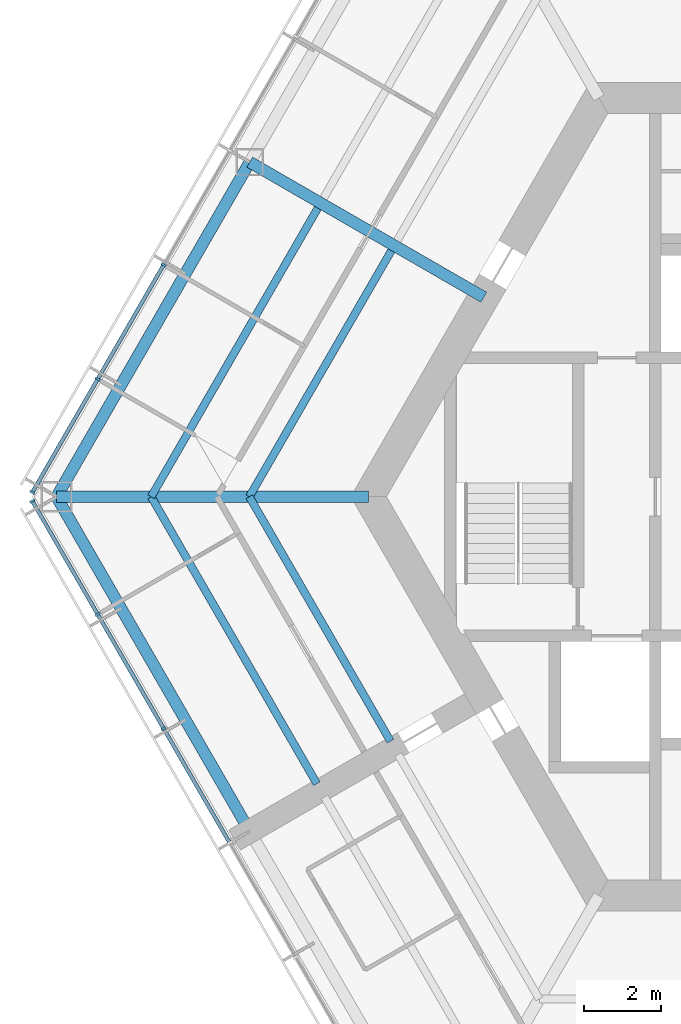
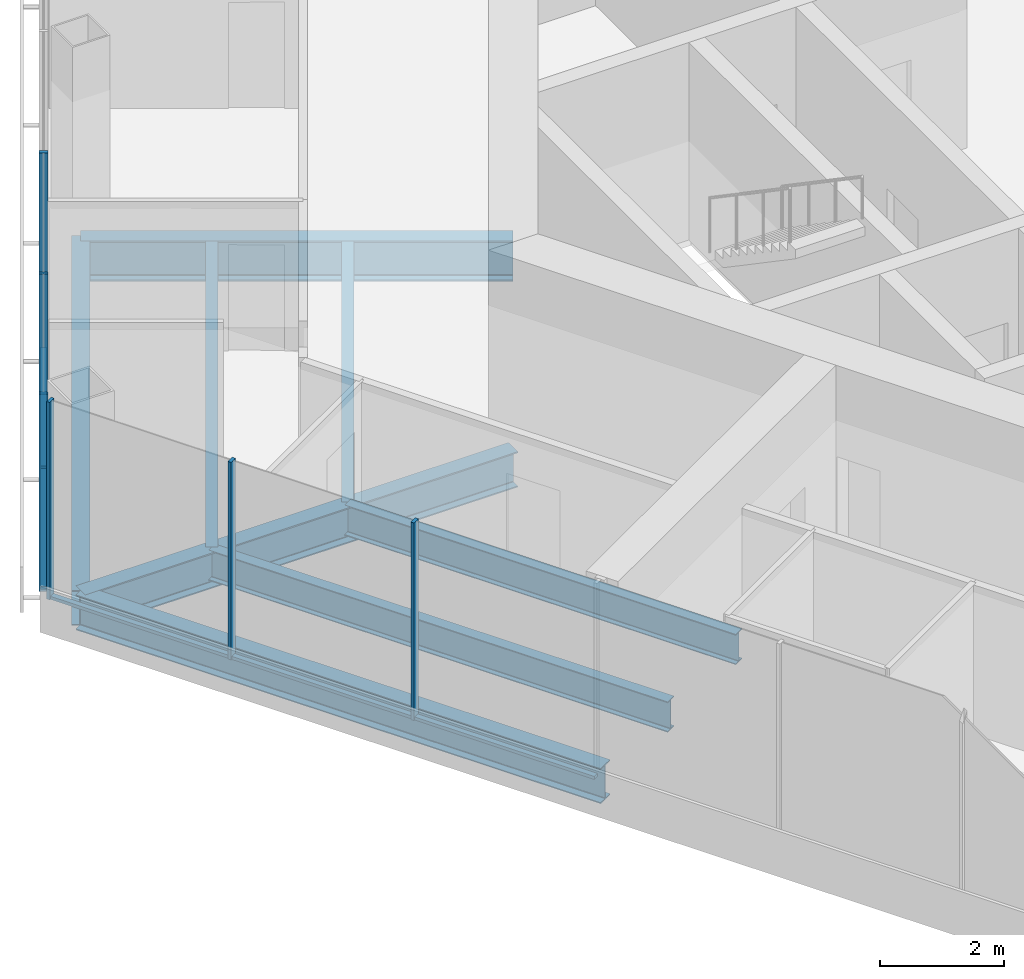
# One storey, part 3 of 16: 11 members, 8 beams, 2 elements without a shape of their own.
"""IFC4 building model written with IfcOpenShell, lengths in metres."""

from ifc_helpers import new_model, si_unit, direction, frame, origin, origin_2d, place, context, subcontext, project, spatial, rectangle, i_section, extrude, material, material_profile, profile_set, type_object, element, aggregate, save


model = new_model("IFC4")

# Units and contexts
model_context = context("Model", 3, precision=1e-05, world=origin(), true_north=direction((0.0, 1.0)))
body_context = subcontext(model_context, "Body", "Model", "MODEL_VIEW")
ifc_project = project(units=[si_unit("LENGTHUNIT", "METRE"), si_unit("AREAUNIT", "SQUARE_METRE"), si_unit("VOLUMEUNIT", "CUBIC_METRE"), si_unit("PLANEANGLEUNIT", "RADIAN"), si_unit("MASSUNIT", "GRAM", prefix="KILO")], contexts=[model_context])

# Site, building, storey
site_placement = place(None, origin())
site = spatial("IfcSite", under=ifc_project, at=site_placement, CompositionType="ELEMENT")
building_placement = place(site_placement, origin())
building = spatial("IfcBuilding", under=site, at=building_placement, Name="Kasaneha Research Tower", CompositionType="ELEMENT")
storey_placement = place(building_placement, frame((0.0, 0.0, 251.800048828125)))
storey = spatial("IfcBuildingStorey", under=building, at=storey_placement, Name="L63", CompositionType="ELEMENT", Elevation=251.800048828125)

# Beams
ifc_material_1 = material(Name="Steel SN490B", Category="steel")
ifc_material_profile_1 = material_profile(ifc_material_1, i_section(OverallWidth=0.199951171875, OverallDepth=0.60009765625, WebThickness=0.010986328125, FlangeThickness=0.01708984375, FilletRadius=0.012939453125, at=origin_2d()), Name="H-600x200x11x17")
ifc_profile_set_1 = profile_set([ifc_material_profile_1], Name="Steel SN490B")
beam_type_1 = type_object("IfcBeamType", Name="B1-3 secondary beam H-600x200x11x17", PredefinedType="JOIST", material=ifc_profile_set_1)
beam_1_placement = place(storey_placement, frame((-15.010986328125, 0.0, -0.449951171875), z_axis=(0.499994443168, 0.866028611999, 0.0), x_axis=(-0.866028611999, 0.499994443168, 0.0)))
element("IfcBeam", 1, at=beam_1_placement, inside=storey, type_object=beam_type_1, Name="Secondary beam RS150R1 L63", PredefinedType="JOIST", context=body_context, shape_type="SweptSolid", body=[
    extrude(i_section(OverallWidth=0.199951171875, OverallDepth=0.60009765625, WebThickness=0.010986328125, FlangeThickness=0.01708984375, FilletRadius=0.012939453125, at=origin_2d()), origin(), (0.0, 0.0, 1.0), 7.35546875),
])
beam_2_placement = place(storey_placement, frame((-17.551513671875, 0.0, -0.449951171875), z_axis=(0.5000050195, 0.866022505755, 0.0), x_axis=(-0.866022505755, 0.5000050195, 0.0)))
element("IfcBeam", 2, at=beam_2_placement, inside=storey, type_object=beam_type_1, Name="Secondary beam RS150R2 L63", PredefinedType="JOIST", context=body_context, shape_type="SweptSolid", body=[
    extrude(i_section(OverallWidth=0.199951171875, OverallDepth=0.60009765625, WebThickness=0.010986328125, FlangeThickness=0.01708984375, FilletRadius=0.012939453125, at=origin_2d()), origin(), (0.0, 0.0, 1.0), 8.6259765625),
])
beam_3_placement = place(storey_placement, frame((-15.010986328125, 0.0, -0.449951171875), z_axis=(0.499974128195, -0.866040340363, 0.0), x_axis=(0.866040340363, 0.499974128195, 0.0)))
element("IfcBeam", 3, at=beam_3_placement, inside=storey, type_object=beam_type_1, Name="Secondary beam RS210L1 L63", PredefinedType="JOIST", context=body_context, shape_type="SweptSolid", body=[
    extrude(i_section(OverallWidth=0.199951171875, OverallDepth=0.60009765625, WebThickness=0.010986328125, FlangeThickness=0.01708984375, FilletRadius=0.012939453125, at=origin_2d()), origin(), (0.0, 0.0, 1.0), 7.3056640625),
])
beam_4_placement = place(storey_placement, frame((-17.551513671875, 0.0, -0.449951171875), z_axis=(0.500000102728, -0.866025344474, 0.0), x_axis=(0.866025344474, 0.500000102728, 0.0)))
element("IfcBeam", 4, at=beam_4_placement, inside=storey, type_object=beam_type_1, Name="Secondary beam RS210L2 L63", PredefinedType="JOIST", context=body_context, shape_type="SweptSolid", body=[
    extrude(i_section(OverallWidth=0.199951171875, OverallDepth=0.60009765625, WebThickness=0.010986328125, FlangeThickness=0.01708984375, FilletRadius=0.012939453125, at=origin_2d()), origin(), (0.0, 0.0, 1.0), 8.57568359375),
])

# Curtain wall, members
ifc_material_2 = material(Name="Glass and aluminium", Category="aluminium")
curtain_wall_type = type_object("IfcCurtainWallType", Name="High-rise office curtain wall", PredefinedType="USERDEFINED", material=ifc_material_2)
curtain_wall_1_placement = place(storey_placement, origin())
curtain_wall_1 = element("IfcCurtainWall", 5, at=curtain_wall_1_placement, inside=storey, type_object=curtain_wall_type, Name="CW-O3 L63 run 03a", ObjectType="UNITISED CURTAIN WALL", PredefinedType="USERDEFINED")
ifc_material_3 = material(Name="Aluminium 6063-T6", Category="aluminium")
ifc_material_profile_2 = material_profile(ifc_material_3, rectangle(XDim=0.06005859375, YDim=0.139892578125, at=origin_2d()), Name="CW-O3 mullion 60x140")
ifc_profile_set_2 = profile_set([ifc_material_profile_2], Name="Aluminium 6063-T6")
member_type_1 = type_object("IfcMemberType", Name="CW-O3 mullion", PredefinedType="MULLION", material=ifc_profile_set_2)
member_1_placement = place(storey_placement, frame((-17.227294921875, 6.00244140625, 0.0), z_axis=(0.0, 0.0, 1.0), x_axis=(-0.499999995722, -0.866025406254, 0.0)))
member_1 = element("IfcMember", 6, at=member_1_placement, type_object=member_type_1, Name="CW-O3 mullion 5", PredefinedType="MULLION", context=body_context, shape_type="SweptSolid", body=[
    extrude(rectangle(XDim=0.06005859375, YDim=0.139892578125, at=origin_2d()), origin(), (0.0, 0.0, 1.0), 3.89990234375),
])
member_2_placement = place(storey_placement, frame((-18.93505859375, 3.04443359375, 0.0), z_axis=(0.0, 0.0, 1.0), x_axis=(-0.499999995722, -0.866025406254, 0.0)))
member_2 = element("IfcMember", 7, at=member_2_placement, type_object=member_type_1, Name="CW-O3 mullion 6", PredefinedType="MULLION", context=body_context, shape_type="SweptSolid", body=[
    extrude(rectangle(XDim=0.06005859375, YDim=0.139892578125, at=origin_2d()), origin(), (0.0, 0.0, 1.0), 3.89990234375),
])
member_3_placement = place(storey_placement, frame((-20.6279296875, 0.112548828125, 0.0), z_axis=(0.0, 0.0, 1.0), x_axis=(-0.499999995722, -0.866025406254, 0.0)))
member_3 = element("IfcMember", 8, at=member_3_placement, type_object=member_type_1, Name="CW-O3 mullion 7", PredefinedType="MULLION", context=body_context, shape_type="SweptSolid", body=[
    extrude(rectangle(XDim=0.06005859375, YDim=0.139892578125, at=origin_2d()), origin(), (0.0, 0.0, 1.0), 3.89990234375),
])

curtain_wall_2_placement = place(storey_placement, origin())
curtain_wall_2 = element("IfcCurtainWall", 9, at=curtain_wall_2_placement, inside=storey, type_object=curtain_wall_type, Name="CW-O3 L63 run 04a", ObjectType="UNITISED CURTAIN WALL", PredefinedType="USERDEFINED")
member_4_placement = place(storey_placement, frame((-20.6279296875, -0.112548828125, 0.0), z_axis=(0.0, 0.0, 1.0), x_axis=(0.499999995722, -0.866025406254, 0.0)))
member_4 = element("IfcMember", 10, at=member_4_placement, type_object=member_type_1, Name="CW-O3 mullion 1", PredefinedType="MULLION", context=body_context, shape_type="SweptSolid", body=[
    extrude(rectangle(XDim=0.06005859375, YDim=0.139892578125, at=origin_2d()), origin(), (0.0, 0.0, 1.0), 3.89990234375),
])
member_5_placement = place(storey_placement, frame((-18.93505859375, -3.04443359375, 0.0), z_axis=(0.0, 0.0, 1.0), x_axis=(0.499999995722, -0.866025406254, 0.0)))
member_5 = element("IfcMember", 11, at=member_5_placement, type_object=member_type_1, Name="CW-O3 mullion 2", PredefinedType="MULLION", context=body_context, shape_type="SweptSolid", body=[
    extrude(rectangle(XDim=0.06005859375, YDim=0.139892578125, at=origin_2d()), origin(), (0.0, 0.0, 1.0), 3.89990234375),
])
member_6_placement = place(storey_placement, frame((-17.227294921875, -6.00244140625, 0.0), z_axis=(0.0, 0.0, 1.0), x_axis=(0.499999995722, -0.866025406254, 0.0)))
member_6 = element("IfcMember", 12, at=member_6_placement, type_object=member_type_1, Name="CW-O3 mullion 3", PredefinedType="MULLION", context=body_context, shape_type="SweptSolid", body=[
    extrude(rectangle(XDim=0.06005859375, YDim=0.139892578125, at=origin_2d()), origin(), (0.0, 0.0, 1.0), 3.89990234375),
])

# Member
ifc_material_4 = material(Name="Aluminium 6063-T6", Category="aluminium")
ifc_material_profile_3 = material_profile(ifc_material_4, rectangle(XDim=0.10009765625, YDim=0.06005859375, at=origin_2d()), Name="CW-O3 transom 100x60")
ifc_profile_set_3 = profile_set([ifc_material_profile_3], Name="Aluminium 6063-T6")
member_type_2 = type_object("IfcMemberType", Name="CW-O3 transom", PredefinedType="USERDEFINED", material=ifc_profile_set_3)
member_7_placement = place(storey_placement, frame((-17.242431640625, 5.976318359375, 0.030029296875), z_axis=(-0.500020578564, -0.866013522419, 0.0), x_axis=(0.866013522419, -0.500020578564, 0.0)))
member_7 = element("IfcMember", 13, at=member_7_placement, type_object=member_type_2, Name="CW-O3 transom 5", ObjectType="TRANSOM", PredefinedType="USERDEFINED", context=body_context, shape_type="SweptSolid", body=[
    extrude(rectangle(XDim=0.10009765625, YDim=0.06005859375, at=origin_2d()), origin(), (0.0, 0.0, 1.0), 3.355224609375),
])

member_8_placement = place(storey_placement, frame((-18.9501953125, 3.0185546875, 0.030029296875), z_axis=(-0.49997666526, -0.866038875684, 0.0), x_axis=(0.866038875684, -0.49997666526, 0.0)))
member_8 = element("IfcMember", 14, at=member_8_placement, type_object=member_type_2, Name="CW-O3 transom 6", ObjectType="TRANSOM", PredefinedType="USERDEFINED", context=body_context, shape_type="SweptSolid", body=[
    extrude(rectangle(XDim=0.10009765625, YDim=0.06005859375, at=origin_2d()), origin(), (0.0, 0.0, 1.0), 3.325439453125),
])

aggregate(curtain_wall_1, [member_1, member_2, member_3, member_7, member_8])

member_9_placement = place(storey_placement, frame((-20.61279296875, -0.138671875, 0.030029296875), z_axis=(0.49997666526, -0.866038875684, 0.0), x_axis=(0.866038875684, 0.49997666526, 0.0)))
member_9 = element("IfcMember", 15, at=member_9_placement, type_object=member_type_2, Name="CW-O3 transom 1", ObjectType="TRANSOM", PredefinedType="USERDEFINED", context=body_context, shape_type="SweptSolid", body=[
    extrude(rectangle(XDim=0.10009765625, YDim=0.06005859375, at=origin_2d()), origin(), (0.0, 0.0, 1.0), 3.325439453125),
])

member_10_placement = place(storey_placement, frame((-18.920166015625, -3.070556640625, 0.030029296875), z_axis=(0.500020578564, -0.866013522419, 0.0), x_axis=(0.866013522419, 0.500020578564, 0.0)))
member_10 = element("IfcMember", 16, at=member_10_placement, type_object=member_type_2, Name="CW-O3 transom 2", ObjectType="TRANSOM", PredefinedType="USERDEFINED", context=body_context, shape_type="SweptSolid", body=[
    extrude(rectangle(XDim=0.10009765625, YDim=0.06005859375, at=origin_2d()), origin(), (0.0, 0.0, 1.0), 3.355224609375),
])

member_11_placement = place(storey_placement, frame((-17.21240234375, -6.0283203125, 0.030029296875), z_axis=(0.499989072476, -0.866031712701, 0.0), x_axis=(0.866031712701, 0.499989072476, 0.0)))
member_11 = element("IfcMember", 17, at=member_11_placement, type_object=member_type_2, Name="CW-O3 transom 3", ObjectType="TRANSOM", PredefinedType="USERDEFINED", context=body_context, shape_type="SweptSolid", body=[
    extrude(rectangle(XDim=0.10009765625, YDim=0.06005859375, at=origin_2d()), origin(), (0.0, 0.0, 1.0), 3.35546875),
])

aggregate(curtain_wall_2, [member_4, member_5, member_6, member_9, member_10, member_11])

# Beams
ifc_material_5 = material(Name="Steel SN490B", Category="steel")
ifc_material_profile_4 = material_profile(ifc_material_5, i_section(OverallWidth=0.300048828125, OverallDepth=0.699951171875, WebThickness=0.012939453125, FlangeThickness=0.02392578125, FilletRadius=0.01806640625, at=origin_2d()), Name="H-700x300x13x24")
ifc_profile_set_4 = profile_set([ifc_material_profile_4], Name="Steel SN490B")
beam_type_2 = type_object("IfcBeamType", Name="G1-3 radial girder H-700x300x13x24", PredefinedType="BEAM", material=ifc_profile_set_4)
beam_5_placement = place(storey_placement, frame((-11.92236328125, 0.0, -0.5), z_axis=(-1.0, 0.0, 0.0), x_axis=(0.0, -1.0, 0.0)))
element("IfcBeam", 18, at=beam_5_placement, inside=storey, type_object=beam_type_2, Name="Radial girder RV180 L63", PredefinedType="BEAM", context=body_context, shape_type="SweptSolid", body=[
    extrude(i_section(OverallWidth=0.300048828125, OverallDepth=0.699951171875, WebThickness=0.012939453125, FlangeThickness=0.02392578125, FilletRadius=0.01806640625, at=origin_2d()), origin(), (0.0, 0.0, 1.0), 8.07763671875),
])
ifc_material_6 = material(Name="Steel SN490B", Category="steel")
ifc_material_profile_5 = material_profile(ifc_material_6, i_section(OverallWidth=0.300048828125, OverallDepth=0.800048828125, WebThickness=0.013916015625, FlangeThickness=0.02587890625, FilletRadius=0.01806640625, at=origin_2d()), Name="H-800x300x14x26")
ifc_profile_set_5 = profile_set([ifc_material_profile_5], Name="Steel SN490B")
beam_type_3 = type_object("IfcBeamType", Name="G2-3 radial girder H-800x300x14x26", PredefinedType="BEAM", material=ifc_profile_set_5)
beam_6_placement = place(storey_placement, frame((-8.941650390625, 5.16259765625, -0.550048828125), z_axis=(-0.866039713508, 0.499975214012, 0.0), x_axis=(-0.499975214012, -0.866039713508, 0.0)))
element("IfcBeam", 19, at=beam_6_placement, inside=storey, type_object=beam_type_3, Name="Radial girder RM150 L63", PredefinedType="BEAM", context=body_context, shape_type="SweptSolid", body=[
    extrude(i_section(OverallWidth=0.300048828125, OverallDepth=0.800048828125, WebThickness=0.013916015625, FlangeThickness=0.02587890625, FilletRadius=0.01806640625, at=origin_2d()), origin(), (0.0, 0.0, 1.0), 6.995361328125),
])
ifc_material_7 = material(Name="Steel SN490B", Category="steel")
ifc_material_profile_6 = material_profile(ifc_material_7, i_section(OverallWidth=0.300048828125, OverallDepth=0.69189453125, WebThickness=0.012939453125, FlangeThickness=0.02001953125, FilletRadius=0.01806640625, at=origin_2d()), Name="H-692x300x13x20")
ifc_profile_set_6 = profile_set([ifc_material_profile_6], Name="Steel SN490B")
beam_type_4 = type_object("IfcBeamType", Name="G3-3 plate edge girder H-692x300x13x20", PredefinedType="BEAM", material=ifc_profile_set_6)
beam_7_placement = place(storey_placement, frame((-20.0, 0.0, -0.49609375), z_axis=(0.49999201416, -0.866030014362, 0.0), x_axis=(0.866030014362, 0.49999201416, 0.0)))
element("IfcBeam", 20, at=beam_7_placement, inside=storey, type_object=beam_type_4, Name="Plate edge girder PEBP L63", PredefinedType="BEAM", context=body_context, shape_type="SweptSolid", body=[
    extrude(i_section(OverallWidth=0.300048828125, OverallDepth=0.69189453125, WebThickness=0.012939453125, FlangeThickness=0.02001953125, FilletRadius=0.01806640625, at=origin_2d()), origin(), (0.0, 0.0, 1.0), 9.800048828125),
])
ifc_material_8 = material(Name="Steel SN490B", Category="steel")
ifc_material_profile_7 = material_profile(ifc_material_8, i_section(OverallWidth=0.300048828125, OverallDepth=0.69189453125, WebThickness=0.012939453125, FlangeThickness=0.02001953125, FilletRadius=0.01806640625, at=origin_2d()), Name="H-692x300x13x20")
ifc_profile_set_7 = profile_set([ifc_material_profile_7], Name="Steel SN490B")
beam_type_5 = type_object("IfcBeamType", Name="SB1-3 spandrel beam H-692x300x13x20", PredefinedType="SPANDREL", material=ifc_profile_set_7)
beam_8_placement = place(storey_placement, frame((-20.0, 0.0, -0.49609375), z_axis=(0.500004234368, 0.866022959057, 0.0), x_axis=(-0.866022959057, 0.500004234368, 0.0)))
element("IfcBeam", 21, at=beam_8_placement, inside=storey, type_object=beam_type_5, Name="Spandrel beam SR150R L63", PredefinedType="SPANDREL", context=body_context, shape_type="SweptSolid", body=[
    extrude(i_section(OverallWidth=0.300048828125, OverallDepth=0.69189453125, WebThickness=0.012939453125, FlangeThickness=0.02001953125, FilletRadius=0.01806640625, at=origin_2d()), origin(), (0.0, 0.0, 1.0), 10.0),
])

save(model, "model.ifc")
